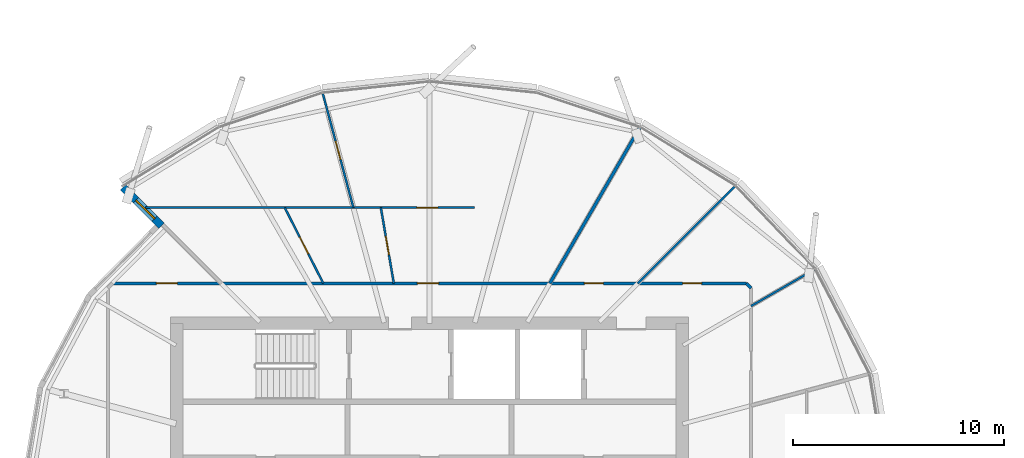
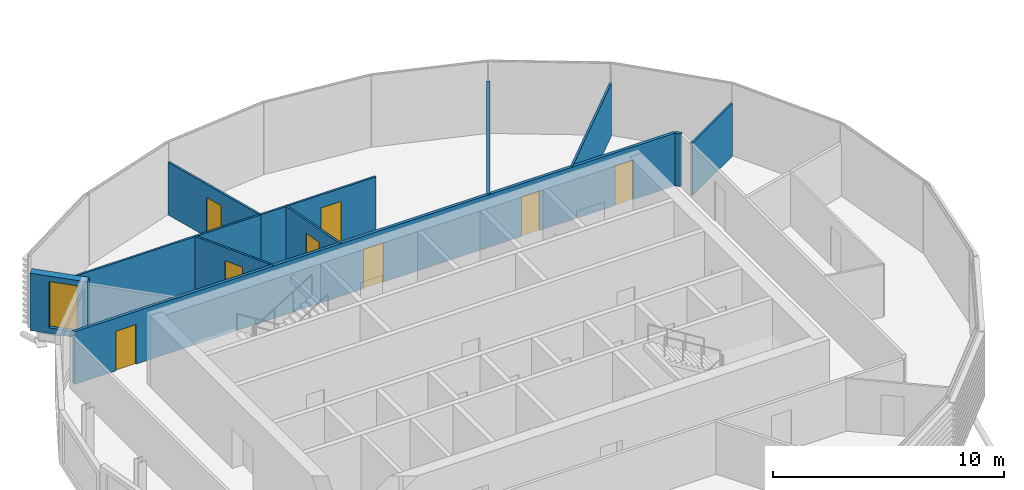
# One storey, part 21 of 36: 11 walls, 8 doors, 1 window, 9 openings.
"""IFC4 building model written with IfcOpenShell, lengths in metres."""

from ifc_helpers import new_model, si_unit, direction, frame, frame_2d, origin, place, context, subcontext, project, spatial, rectangle, extrude, material, layer, layer_set, type_object, element, fill, save


model = new_model("IFC4")

# Units and contexts
model_context = context("Model", 3, precision=1e-05, world=origin(), true_north=direction((0.0, 1.0)))
body_context = subcontext(model_context, "Body", "Model", "MODEL_VIEW")
ifc_project = project(units=[si_unit("LENGTHUNIT", "METRE"), si_unit("AREAUNIT", "SQUARE_METRE"), si_unit("VOLUMEUNIT", "CUBIC_METRE"), si_unit("PLANEANGLEUNIT", "RADIAN"), si_unit("MASSUNIT", "GRAM", prefix="KILO")], contexts=[model_context])

# Site, building, storey
site_placement = place(None, origin())
site = spatial("IfcSite", under=ifc_project, at=site_placement, CompositionType="ELEMENT")
building_placement = place(site_placement, origin())
building = spatial("IfcBuilding", under=site, at=building_placement, Name="Rimbun Link Towers", CompositionType="ELEMENT")
storey_placement = place(building_placement, frame((0.0, 0.0, 189.300048828125)))
storey = spatial("IfcBuildingStorey", under=building, at=storey_placement, Name="L46", CompositionType="ELEMENT", Elevation=189.300048828125)

# Wall, opening, window
ifc_material_1 = material(Name="Dark enamelled glass spandrel on insulated aluminium backpan", Category="aluminium")
ifc_layer_1 = layer(ifc_material_1, 0.3701171875)
ifc_layer_set_1 = layer_set([ifc_layer_1], Name="CS dark enamelled spandrel wall 370")
wall_type_1 = type_object("IfcWallType", Name="CS dark enamelled spandrel wall 370", PredefinedType="STANDARD", material=ifc_layer_set_1)
wall_1_placement = place(storey_placement, frame((-44.477294921875, 12.63525390625, 0.0), z_axis=(0.0, 0.0, 1.0), x_axis=(-0.707059465667, 0.70715409354, 0.0)))
wall_1 = element("IfcWall", 1, at=wall_1_placement, inside=storey, type_object=wall_type_1, Name="Crease spandrel wall", PredefinedType="STANDARD", context=body_context, shape_type="SweptSolid", body=[
    extrude(rectangle(XDim=2.580078125, YDim=0.3701171875, at=frame_2d((1.2900390625, 0.0))), origin(), (0.0, 0.0, 1.0), 3.037353515625),
])
opening_1_placement = place(wall_1_placement, frame((0.468994140625, 0.0, 0.300048828125)))
opening_1 = element("IfcOpeningElement", 2, at=opening_1_placement, cuts=wall_1, Name="Opening WR12H245", PredefinedType="OPENING", context=body_context, shape_type="SweptSolid", body=[
    extrude(rectangle(XDim=1.25, YDim=2.449951171875, at=frame_2d((0.625, 1.22509765625))), frame((0.0, 0.195068359375, 0.0), z_axis=(0.0, -1.0, 0.0), x_axis=(1.0, 0.0, 0.0)), (0.0, 0.0, 1.0), 0.39013671875),
])
ifc_material_2 = material(Name="Aluminium framed fixed window, dark tinted low-e glass", Category="aluminium")
window_type = type_object("IfcWindowType", Name="WR ribbon window 1250X2450", PartitioningType="SINGLE_PANEL", PredefinedType="WINDOW", material=ifc_material_2)
window_placement = place(opening_1_placement, origin())
window = element("IfcWindow", 3, at=window_placement, inside=storey, type_object=window_type, Name="Crease ribbon window", OverallHeight=2.449951171875, OverallWidth=1.25, PartitioningType="SINGLE_PANEL", PredefinedType="WINDOW", context=body_context, shape_type="SweptSolid", body=[
    extrude(rectangle(XDim=1.25, YDim=2.449951171875, at=frame_2d((0.625, 1.22509765625))), frame((0.0, 0.030029296875, 0.0), z_axis=(0.0, -1.0, 0.0), x_axis=(1.0, 0.0, 0.0)), (0.0, 0.0, 1.0), 0.06005859375),
])
fill(opening_1, window)

# Wall, openings, doors
ifc_material_3 = material(Name="Plasterboard on steel stud, mineral wool", Category="steel")
ifc_layer_2 = layer(ifc_material_3, 0.14990234375)
ifc_layer_set_2 = layer_set([ifc_layer_2], Name="Corridor wall EI 30 150 mm")
wall_type_2 = type_object("IfcWallType", Name="Corridor wall EI 30 150 mm", PredefinedType="PARTITIONING", material=ifc_layer_set_2)
wall_2_placement = place(storey_placement, frame((-46.8037109375, 9.89501953125, 0.0), z_axis=(0.0, 0.0, 1.0), x_axis=(1.0, 0.0, 0.0)))
wall_2 = element("IfcWall", 4, at=wall_2_placement, inside=storey, type_object=wall_type_2, Name="Corridor wall EI 30 150 mm", PredefinedType="PARTITIONING", context=body_context, shape_type="SweptSolid", body=[
    extrude(rectangle(XDim=30.107421875, YDim=0.14990234375, at=frame_2d((15.0537109375, 0.0))), origin(), (0.0, 0.0, 1.0), 2.7890625),
])
opening_2_placement = place(wall_2_placement, frame((27.078125, 0.0, 0.0)))
opening_2 = element("IfcOpeningElement", 5, at=opening_2_placement, cuts=wall_2, Name="Opening D02", PredefinedType="OPENING", context=body_context, shape_type="SweptSolid", body=[
    extrude(rectangle(XDim=0.89990234375, YDim=2.10009765625, at=frame_2d((0.449951171875, 1.050048828125))), frame((0.0, 0.0849609375, 0.0), z_axis=(0.0, -1.0, 0.0), x_axis=(1.0, 0.0, 0.0)), (0.0, 0.0, 1.0), 0.169921875),
])
opening_3_placement = place(wall_2_placement, frame((22.40771484375, 0.0, 0.0)))
opening_3 = element("IfcOpeningElement", 6, at=opening_3_placement, cuts=wall_2, Name="Opening D02", PredefinedType="OPENING", context=body_context, shape_type="SweptSolid", body=[
    extrude(rectangle(XDim=0.89990234375, YDim=2.10009765625, at=frame_2d((0.449951171875, 1.050048828125))), frame((0.0, 0.0849609375, 0.0), z_axis=(0.0, -1.0, 0.0), x_axis=(1.0, 0.0, 0.0)), (0.0, 0.0, 1.0), 0.169921875),
])
opening_4_placement = place(wall_2_placement, frame((14.48291015625, 0.0, 0.0)))
opening_4 = element("IfcOpeningElement", 7, at=opening_4_placement, cuts=wall_2, Name="Opening D01", PredefinedType="OPENING", context=body_context, shape_type="SweptSolid", body=[
    extrude(rectangle(XDim=1.0, YDim=2.10009765625, at=frame_2d((0.5, 1.050048828125))), frame((0.0, 0.0849609375, 0.0), z_axis=(0.0, -1.0, 0.0), x_axis=(1.0, 0.0, 0.0)), (0.0, 0.0, 1.0), 0.169921875),
])
opening_5_placement = place(wall_2_placement, frame((2.079345703125, 0.0, 0.0)))
opening_5 = element("IfcOpeningElement", 8, at=opening_5_placement, cuts=wall_2, Name="Opening D01", PredefinedType="OPENING", context=body_context, shape_type="SweptSolid", body=[
    extrude(rectangle(XDim=1.0, YDim=2.10009765625, at=frame_2d((0.5, 1.050048828125))), frame((0.0, 0.0849609375, 0.0), z_axis=(0.0, -1.0, 0.0), x_axis=(1.0, 0.0, 0.0)), (0.0, 0.0, 1.0), 0.169921875),
])
ifc_material_4 = material(Name="Fire-resisting timber door leaf", Category="wood")
door_type_1 = type_object("IfcDoorType", Name="Fire door FD30S 1000", OperationType="NOTDEFINED", PredefinedType="DOOR", material=ifc_material_4)
door_1_placement = place(opening_4_placement, origin())
door_1 = element("IfcDoor", 9, at=door_1_placement, inside=storey, type_object=door_type_1, Name="Fire door FD30S 1000 to Tenant lobby", OperationType="SINGLE_SWING_RIGHT", OverallHeight=2.10009765625, OverallWidth=1.0, PredefinedType="DOOR", context=body_context, shape_type="SweptSolid", body=[
    extrude(rectangle(XDim=1.0, YDim=2.10009765625, at=frame_2d((0.5, 1.050048828125))), frame((0.0, 0.02490234375, 0.0), z_axis=(0.0, -1.0, 0.0), x_axis=(1.0, 0.0, 0.0)), (0.0, 0.0, 1.0), 0.050048828125),
])
fill(opening_4, door_1)
door_2_placement = place(opening_5_placement, origin())
door_2 = element("IfcDoor", 10, at=door_2_placement, inside=storey, type_object=door_type_1, Name="Fire door FD30S 1000 to Terrace office", OperationType="SINGLE_SWING_LEFT", OverallHeight=2.10009765625, OverallWidth=1.0, PredefinedType="DOOR", context=body_context, shape_type="SweptSolid", body=[
    extrude(rectangle(XDim=1.0, YDim=2.10009765625, at=frame_2d((0.5, 1.050048828125))), frame((0.0, 0.02490234375, 0.0), z_axis=(0.0, -1.0, 0.0), x_axis=(1.0, 0.0, 0.0)), (0.0, 0.0, 1.0), 0.050048828125),
])
fill(opening_5, door_2)
ifc_material_5 = material(Name="Fire-resisting timber door leaf", Category="wood")
door_type_2 = type_object("IfcDoorType", Name="Fire door FD30S 900", OperationType="NOTDEFINED", PredefinedType="DOOR", material=ifc_material_5)
door_3_placement = place(opening_2_placement, origin())
door_3 = element("IfcDoor", 11, at=door_3_placement, inside=storey, type_object=door_type_2, Name="Fire door FD30S 900 to Meeting room", OperationType="SINGLE_SWING_RIGHT", OverallHeight=2.10009765625, OverallWidth=0.89990234375, PredefinedType="DOOR", context=body_context, shape_type="SweptSolid", body=[
    extrude(rectangle(XDim=0.89990234375, YDim=2.10009765625, at=frame_2d((0.449951171875, 1.050048828125))), frame((0.0, 0.02490234375, 0.0), z_axis=(0.0, -1.0, 0.0), x_axis=(1.0, 0.0, 0.0)), (0.0, 0.0, 1.0), 0.050048828125),
])
fill(opening_2, door_3)
door_4_placement = place(opening_3_placement, origin())
door_4 = element("IfcDoor", 12, at=door_4_placement, inside=storey, type_object=door_type_2, Name="Fire door FD30S 900 to Meeting room", OperationType="SINGLE_SWING_LEFT", OverallHeight=2.10009765625, OverallWidth=0.89990234375, PredefinedType="DOOR", context=body_context, shape_type="SweptSolid", body=[
    extrude(rectangle(XDim=0.89990234375, YDim=2.10009765625, at=frame_2d((0.449951171875, 1.050048828125))), frame((0.0, 0.02490234375, 0.0), z_axis=(0.0, -1.0, 0.0), x_axis=(1.0, 0.0, 0.0)), (0.0, 0.0, 1.0), 0.050048828125),
])
fill(opening_3, door_4)

# Walls
wall_3_placement = place(storey_placement, frame((-16.47509765625, 9.673583984375, 0.0), z_axis=(0.0, 0.0, 1.0), x_axis=(-0.706716653396, 0.707496693853, 0.0)))
element("IfcWall", 13, at=wall_3_placement, inside=storey, type_object=wall_type_2, Name="Corridor wall EI 30 150 mm", PredefinedType="PARTITIONING", context=body_context, shape_type="SweptSolid", body=[
    extrude(rectangle(XDim=0.31298828125, YDim=0.14990234375, at=frame_2d((0.156494140625, 0.0))), origin(), (0.0, 0.0, 1.0), 2.7890625),
])
ifc_material_6 = material(Name="Plasterboard on steel stud", Category="steel")
ifc_layer_3 = layer(ifc_material_6, 0.10009765625)
ifc_layer_set_3 = layer_set([ifc_layer_3], Name="Plasterboard partition 100 mm")
wall_type_3 = type_object("IfcWallType", Name="Plasterboard partition 100 mm", PredefinedType="PARTITIONING", material=ifc_layer_set_3)
wall_4_placement = place(storey_placement, frame((-13.443115234375, 10.569580078125, 0.0), z_axis=(0.0, 0.0, 1.0), x_axis=(-0.866028815679, -0.499994090379, 0.0)))
element("IfcWall", 14, at=wall_4_placement, inside=storey, type_object=wall_type_3, Name="Plasterboard partition 100 mm", PredefinedType="PARTITIONING", context=body_context, shape_type="SweptSolid", body=[
    extrude(rectangle(XDim=3.5009765625, YDim=0.10009765625, at=frame_2d((1.75048828125, 0.0))), origin(), (0.0, 0.0, 1.0), 2.7890625),
])
wall_5_placement = place(storey_placement, frame((-17.230224609375, 14.519775390625, 0.0), z_axis=(0.0, 0.0, 1.0), x_axis=(-0.707106781187, -0.707106781187, 0.0)))
element("IfcWall", 15, at=wall_5_placement, inside=storey, type_object=wall_type_3, Name="Plasterboard partition 100 mm", PredefinedType="PARTITIONING", context=body_context, shape_type="SweptSolid", body=[
    extrude(rectangle(XDim=6.540283203125, YDim=0.10009765625, at=frame_2d((3.27001953125, 0.0))), origin(), (0.0, 0.0, 1.0), 2.7890625),
])

# Wall, opening, door
wall_6_placement = place(storey_placement, frame((-33.4443359375, 9.89501953125, 0.0), z_axis=(0.0, 0.0, 1.0), x_axis=(-0.168776431404, 0.985654359399, 0.0)))
wall_6 = element("IfcWall", 16, at=wall_6_placement, inside=storey, type_object=wall_type_3, Name="Plasterboard partition 100 mm", PredefinedType="PARTITIONING", context=body_context, shape_type="SweptSolid", body=[
    extrude(rectangle(XDim=3.652587890625, YDim=0.10009765625, at=frame_2d((1.826171875, 0.0))), origin(), (0.0, 0.0, 1.0), 2.7890625),
])
opening_6_placement = place(wall_6_placement, frame((1.376220703125, 0.0, 0.0)))
opening_6 = element("IfcOpeningElement", 17, at=opening_6_placement, cuts=wall_6, Name="Opening D04", PredefinedType="OPENING", context=body_context, shape_type="SweptSolid", body=[
    extrude(rectangle(XDim=0.89990234375, YDim=2.10009765625, at=frame_2d((0.449951171875, 1.050048828125))), frame((0.0, 0.06005859375, 0.0), z_axis=(0.0, -1.0, 0.0), x_axis=(1.0, 0.0, 0.0)), (0.0, 0.0, 1.0), 0.1201171875),
])
ifc_material_7 = material(Name="Timber door leaf", Category="wood")
door_type_3 = type_object("IfcDoorType", Name="Flush door 900", OperationType="NOTDEFINED", PredefinedType="DOOR", material=ifc_material_7)
door_5_placement = place(opening_6_placement, origin())
door_5 = element("IfcDoor", 18, at=door_5_placement, inside=storey, type_object=door_type_3, Name="Flush door 900 to Huddle room", OperationType="SINGLE_SWING_LEFT", OverallHeight=2.10009765625, OverallWidth=0.89990234375, PredefinedType="DOOR", context=body_context, shape_type="SweptSolid", body=[
    extrude(rectangle(XDim=0.89990234375, YDim=2.10009765625, at=frame_2d((0.449951171875, 1.050048828125))), frame((0.0, 0.02490234375, 0.0), z_axis=(0.0, -1.0, 0.0), x_axis=(1.0, 0.0, 0.0)), (0.0, 0.0, 1.0), 0.050048828125),
])
fill(opening_6, door_5)

wall_7_placement = place(storey_placement, frame((-35.365966796875, 13.4951171875, 0.0), z_axis=(0.0, 0.0, 1.0), x_axis=(1.0, 0.0, 0.0)))
wall_7 = element("IfcWall", 19, at=wall_7_placement, inside=storey, type_object=wall_type_3, Name="Plasterboard partition 100 mm", PredefinedType="PARTITIONING", context=body_context, shape_type="SweptSolid", body=[
    extrude(rectangle(XDim=5.763671875, YDim=0.10009765625, at=frame_2d((2.8818359375, 0.0))), origin(), (0.0, 0.0, 1.0), 2.7890625),
])
opening_7_placement = place(wall_7_placement, frame((3.01953125, 0.0, 0.0)))
opening_7 = element("IfcOpeningElement", 20, at=opening_7_placement, cuts=wall_7, Name="Opening D03", PredefinedType="OPENING", context=body_context, shape_type="SweptSolid", body=[
    extrude(rectangle(XDim=1.0, YDim=2.10009765625, at=frame_2d((0.5, 1.050048828125))), frame((0.0, 0.06005859375, 0.0), z_axis=(0.0, -1.0, 0.0), x_axis=(1.0, 0.0, 0.0)), (0.0, 0.0, 1.0), 0.1201171875),
])
ifc_material_8 = material(Name="Timber door leaf", Category="wood")
door_type_4 = type_object("IfcDoorType", Name="Flush door 1000", OperationType="NOTDEFINED", PredefinedType="DOOR", material=ifc_material_8)
door_6_placement = place(opening_7_placement, origin())
door_6 = element("IfcDoor", 21, at=door_6_placement, inside=storey, type_object=door_type_4, Name="Flush door 1000 to Open office", OperationType="SINGLE_SWING_RIGHT", OverallHeight=2.10009765625, OverallWidth=1.0, PredefinedType="DOOR", context=body_context, shape_type="SweptSolid", body=[
    extrude(rectangle(XDim=1.0, YDim=2.10009765625, at=frame_2d((0.5, 1.050048828125))), frame((0.0, 0.02490234375, 0.0), z_axis=(0.0, -1.0, 0.0), x_axis=(1.0, 0.0, 0.0)), (0.0, 0.0, 1.0), 0.050048828125),
])
fill(opening_7, door_6)

wall_8_placement = place(storey_placement, frame((-36.79248046875, 9.89501953125, 0.0), z_axis=(0.0, 0.0, 1.0), x_axis=(-0.454064259365, 0.890968937936, 0.0)))
wall_8 = element("IfcWall", 22, at=wall_8_placement, inside=storey, type_object=wall_type_3, Name="Plasterboard partition 100 mm", PredefinedType="PARTITIONING", context=body_context, shape_type="SweptSolid", body=[
    extrude(rectangle(XDim=4.040771484375, YDim=0.10009765625, at=frame_2d((2.0205078125, 0.0))), origin(), (0.0, 0.0, 1.0), 2.7890625),
])
opening_8_placement = place(wall_8_placement, frame((1.5703125, 0.0, 0.0)))
opening_8 = element("IfcOpeningElement", 23, at=opening_8_placement, cuts=wall_8, Name="Opening D04", PredefinedType="OPENING", context=body_context, shape_type="SweptSolid", body=[
    extrude(rectangle(XDim=0.89990234375, YDim=2.10009765625, at=frame_2d((0.449951171875, 1.050048828125))), frame((0.0, 0.06005859375, 0.0), z_axis=(0.0, -1.0, 0.0), x_axis=(1.0, 0.0, 0.0)), (0.0, 0.0, 1.0), 0.1201171875),
])
door_7_placement = place(opening_8_placement, origin())
door_7 = element("IfcDoor", 24, at=door_7_placement, inside=storey, type_object=door_type_3, Name="Flush door 900 to Huddle room", OperationType="SINGLE_SWING_LEFT", OverallHeight=2.10009765625, OverallWidth=0.89990234375, PredefinedType="DOOR", context=body_context, shape_type="SweptSolid", body=[
    extrude(rectangle(XDim=0.89990234375, YDim=2.10009765625, at=frame_2d((0.449951171875, 1.050048828125))), frame((0.0, 0.02490234375, 0.0), z_axis=(0.0, -1.0, 0.0), x_axis=(1.0, 0.0, 0.0)), (0.0, 0.0, 1.0), 0.050048828125),
])
fill(opening_8, door_7)

# Wall
wall_9_placement = place(storey_placement, frame((-35.365966796875, 13.4951171875, 0.0), z_axis=(0.0, 0.0, 1.0), x_axis=(-1.0, 0.0, 0.0)))
element("IfcWall", 25, at=wall_9_placement, inside=storey, type_object=wall_type_3, Name="Plasterboard partition 100 mm", PredefinedType="PARTITIONING", context=body_context, shape_type="SweptSolid", body=[
    extrude(rectangle(XDim=9.879150390625, YDim=0.10009765625, at=frame_2d((4.939453125, 0.0))), origin(), (0.0, 0.0, 1.0), 2.7890625),
])

# Wall, opening, door
wall_10_placement = place(storey_placement, frame((-35.365966796875, 13.4951171875, 0.0), z_axis=(0.0, 0.0, 1.0), x_axis=(-0.258823547375, 0.965924619897, 0.0)))
wall_10 = element("IfcWall", 26, at=wall_10_placement, inside=storey, type_object=wall_type_3, Name="Plasterboard partition 100 mm", PredefinedType="PARTITIONING", context=body_context, shape_type="SweptSolid", body=[
    extrude(rectangle(XDim=5.62744140625, YDim=0.10009765625, at=frame_2d((2.813720703125, 0.0))), origin(), (0.0, 0.0, 1.0), 2.7890625),
])
opening_9_placement = place(wall_10_placement, frame((2.36376953125, 0.0, 0.0)))
opening_9 = element("IfcOpeningElement", 27, at=opening_9_placement, cuts=wall_10, Name="Opening D04", PredefinedType="OPENING", context=body_context, shape_type="SweptSolid", body=[
    extrude(rectangle(XDim=0.89990234375, YDim=2.10009765625, at=frame_2d((0.449951171875, 1.050048828125))), frame((0.0, 0.06005859375, 0.0), z_axis=(0.0, -1.0, 0.0), x_axis=(1.0, 0.0, 0.0)), (0.0, 0.0, 1.0), 0.1201171875),
])
door_8_placement = place(opening_9_placement, origin())
door_8 = element("IfcDoor", 28, at=door_8_placement, inside=storey, type_object=door_type_3, Name="Flush door 900 to Project room", OperationType="SINGLE_SWING_LEFT", OverallHeight=2.10009765625, OverallWidth=0.89990234375, PredefinedType="DOOR", context=body_context, shape_type="SweptSolid", body=[
    extrude(rectangle(XDim=0.89990234375, YDim=2.10009765625, at=frame_2d((0.449951171875, 1.050048828125))), frame((0.0, 0.02490234375, 0.0), z_axis=(0.0, -1.0, 0.0), x_axis=(1.0, 0.0, 0.0)), (0.0, 0.0, 1.0), 0.050048828125),
])
fill(opening_9, door_8)

# Wall
ifc_material_9 = material(Name="Plasterboard on steel stud, mineral wool", Category="steel")
ifc_layer_4 = layer(ifc_material_9, 0.14990234375)
ifc_layer_set_4 = layer_set([ifc_layer_4], Name="Tenancy separation wall EI 60 150 mm")
wall_type_4 = type_object("IfcWallType", Name="Tenancy separation wall EI 60 150 mm", PredefinedType="PARTITIONING", material=ifc_layer_set_4)
wall_11_placement = place(storey_placement, frame((-26.037109375, 9.89501953125, 0.0), z_axis=(0.0, 0.0, 1.0), x_axis=(0.499998391746, 0.866026332309, 0.0)))
element("IfcWall", 29, at=wall_11_placement, inside=storey, type_object=wall_type_4, Name="Tenancy separation wall EI 60 150 mm", PredefinedType="PARTITIONING", context=body_context, shape_type="SweptSolid", body=[
    extrude(rectangle(XDim=8.55224609375, YDim=0.14990234375, at=frame_2d((4.276123046875, 0.0))), origin(), (0.0, 0.0, 1.0), 2.7890625),
])

save(model, "model.ifc")
